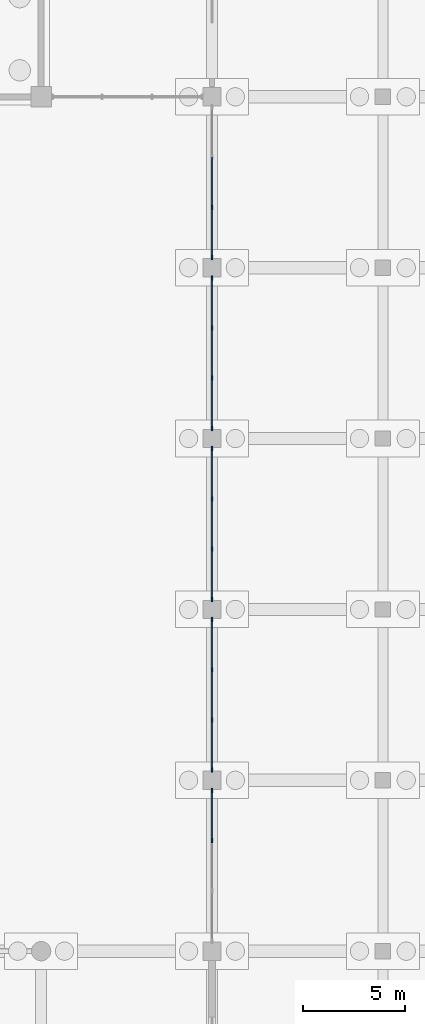
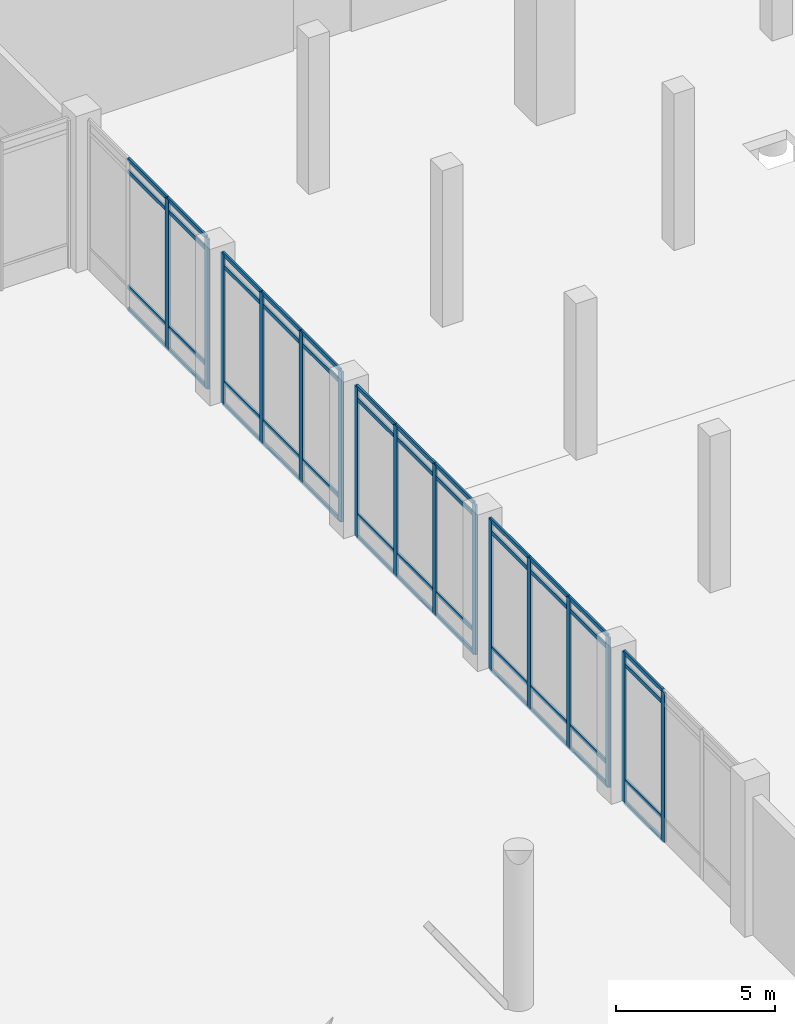
# One storey, part 34 of 72: 64 members, 5 elements without a shape of their own.
"""IFC4 building model written with IfcOpenShell, lengths in metres."""

from ifc_helpers import new_model, si_unit, direction, frame, origin, origin_2d, place, context, subcontext, project, spatial, rectangle, extrude, material, layer, layer_set, material_profile, profile_set, type_object, element, aggregate, save


model = new_model("IFC4")

# Units and contexts
model_context = context("Model", 3, precision=1e-05, world=origin(), true_north=direction((0.0, 1.0)))
body_context = subcontext(model_context, "Body", "Model", "MODEL_VIEW")
ifc_project = project(units=[si_unit("LENGTHUNIT", "METRE"), si_unit("AREAUNIT", "SQUARE_METRE"), si_unit("VOLUMEUNIT", "CUBIC_METRE"), si_unit("PLANEANGLEUNIT", "RADIAN"), si_unit("MASSUNIT", "GRAM", prefix="KILO")], contexts=[model_context])

# Site, building, storey
site_placement = place(None, origin())
site = spatial("IfcSite", under=ifc_project, at=site_placement, CompositionType="ELEMENT")
building_placement = place(site_placement, origin())
building = spatial("IfcBuilding", under=site, at=building_placement, Name="Qawsi Khor Wholesale Market", CompositionType="ELEMENT")
storey_placement = place(building_placement, origin())
storey = spatial("IfcBuildingStorey", under=building, at=storey_placement, Name="L00", CompositionType="ELEMENT", Elevation=0.0)

# Curtain wall, members
ifc_material = material(Name="Aluminium Anodised Bronze", Category="aluminium")
ifc_layer = layer(ifc_material, 0.199951171875, Name="Aluminium Anodised Bronze")
ifc_layer_set = layer_set([ifc_layer], Name="Aluminium Anodised Bronze")
curtain_wall_type = type_object("IfcCurtainWallType", Name="Trading Hall North-Light Curtain Wall CW-03", PredefinedType="NOTDEFINED", material=ifc_layer_set)
curtain_wall_1_placement = place(storey_placement, origin())
curtain_wall_1 = element("IfcCurtainWall", 1, at=curtain_wall_1_placement, inside=storey, type_object=curtain_wall_type, Name="Curtain wall CW-CW-03-L00-075", PredefinedType="NOTDEFINED")
ifc_material_profile_1 = material_profile(ifc_material, rectangle(XDim=0.074951171875, YDim=0.219970703125, at=origin_2d()), Name="ALU MULLION 75x220")
ifc_profile_set_1 = profile_set([ifc_material_profile_1], Name="Aluminium Anodised Bronze")
member_type_1 = type_object("IfcMemberType", Name="Curtain Wall Mullion CW-03 ALU MULLION 75x220", PredefinedType="MULLION", material=ifc_profile_set_1)
member_1_placement = place(storey_placement, frame((142.800048828125, 55.834228515625, -0.02001953125), z_axis=(0.0, 0.0, 1.0), x_axis=(1.0, 0.0, 0.0)))
member_1 = element("IfcMember", 2, at=member_1_placement, type_object=member_type_1, Name="Mullion CW-CW-03-L00-075-M02", PredefinedType="MULLION", context=body_context, shape_type="SweptSolid", body=[
    extrude(rectangle(XDim=0.074951171875, YDim=0.219970703125, at=origin_2d()), origin(), (0.0, 0.0, 1.0), 5.75),
])
member_2_placement = place(storey_placement, frame((142.800048828125, 58.302490234375, -0.02001953125), z_axis=(0.0, 0.0, 1.0), x_axis=(1.0, 0.0, 0.0)))
member_2 = element("IfcMember", 3, at=member_2_placement, type_object=member_type_1, Name="Mullion CW-CW-03-L00-075-M03", PredefinedType="MULLION", context=body_context, shape_type="SweptSolid", body=[
    extrude(rectangle(XDim=0.074951171875, YDim=0.219970703125, at=origin_2d()), origin(), (0.0, 0.0, 1.0), 5.75),
])

curtain_wall_2_placement = place(storey_placement, origin())
curtain_wall_2 = element("IfcCurtainWall", 4, at=curtain_wall_2_placement, inside=storey, type_object=curtain_wall_type, Name="Curtain wall CW-CW-03-L00-080", PredefinedType="NOTDEFINED")
member_3_placement = place(storey_placement, frame((142.800048828125, 59.297607421875, -0.02001953125), z_axis=(0.0, 0.0, 1.0), x_axis=(1.0, 0.0, 0.0)))
member_3 = element("IfcMember", 5, at=member_3_placement, type_object=member_type_1, Name="Mullion CW-CW-03-L00-080-M00", PredefinedType="MULLION", context=body_context, shape_type="SweptSolid", body=[
    extrude(rectangle(XDim=0.074951171875, YDim=0.219970703125, at=origin_2d()), origin(), (0.0, 0.0, 1.0), 5.75),
])
member_4_placement = place(storey_placement, frame((142.800048828125, 61.765869140625, -0.02001953125), z_axis=(0.0, 0.0, 1.0), x_axis=(1.0, 0.0, 0.0)))
member_4 = element("IfcMember", 6, at=member_4_placement, type_object=member_type_1, Name="Mullion CW-CW-03-L00-080-M01", PredefinedType="MULLION", context=body_context, shape_type="SweptSolid", body=[
    extrude(rectangle(XDim=0.074951171875, YDim=0.219970703125, at=origin_2d()), origin(), (0.0, 0.0, 1.0), 5.75),
])
member_5_placement = place(storey_placement, frame((142.800048828125, 64.234130859375, -0.02001953125), z_axis=(0.0, 0.0, 1.0), x_axis=(1.0, 0.0, 0.0)))
member_5 = element("IfcMember", 7, at=member_5_placement, type_object=member_type_1, Name="Mullion CW-CW-03-L00-080-M02", PredefinedType="MULLION", context=body_context, shape_type="SweptSolid", body=[
    extrude(rectangle(XDim=0.074951171875, YDim=0.219970703125, at=origin_2d()), origin(), (0.0, 0.0, 1.0), 5.75),
])
member_6_placement = place(storey_placement, frame((142.800048828125, 66.702392578125, -0.02001953125), z_axis=(0.0, 0.0, 1.0), x_axis=(1.0, 0.0, 0.0)))
member_6 = element("IfcMember", 8, at=member_6_placement, type_object=member_type_1, Name="Mullion CW-CW-03-L00-080-M03", PredefinedType="MULLION", context=body_context, shape_type="SweptSolid", body=[
    extrude(rectangle(XDim=0.074951171875, YDim=0.219970703125, at=origin_2d()), origin(), (0.0, 0.0, 1.0), 5.75),
])

curtain_wall_3_placement = place(storey_placement, origin())
curtain_wall_3 = element("IfcCurtainWall", 9, at=curtain_wall_3_placement, inside=storey, type_object=curtain_wall_type, Name="Curtain wall CW-CW-03-L00-085", PredefinedType="NOTDEFINED")
member_7_placement = place(storey_placement, frame((142.800048828125, 67.697509765625, -0.02001953125), z_axis=(0.0, 0.0, 1.0), x_axis=(1.0, 0.0, 0.0)))
member_7 = element("IfcMember", 10, at=member_7_placement, type_object=member_type_1, Name="Mullion CW-CW-03-L00-085-M00", PredefinedType="MULLION", context=body_context, shape_type="SweptSolid", body=[
    extrude(rectangle(XDim=0.074951171875, YDim=0.219970703125, at=origin_2d()), origin(), (0.0, 0.0, 1.0), 5.75),
])
member_8_placement = place(storey_placement, frame((142.800048828125, 70.165771484375, -0.02001953125), z_axis=(0.0, 0.0, 1.0), x_axis=(1.0, 0.0, 0.0)))
member_8 = element("IfcMember", 11, at=member_8_placement, type_object=member_type_1, Name="Mullion CW-CW-03-L00-085-M01", PredefinedType="MULLION", context=body_context, shape_type="SweptSolid", body=[
    extrude(rectangle(XDim=0.074951171875, YDim=0.219970703125, at=origin_2d()), origin(), (0.0, 0.0, 1.0), 5.75),
])
member_9_placement = place(storey_placement, frame((142.800048828125, 72.63427734375, -0.02001953125), z_axis=(0.0, 0.0, 1.0), x_axis=(1.0, 0.0, 0.0)))
member_9 = element("IfcMember", 12, at=member_9_placement, type_object=member_type_1, Name="Mullion CW-CW-03-L00-085-M02", PredefinedType="MULLION", context=body_context, shape_type="SweptSolid", body=[
    extrude(rectangle(XDim=0.074951171875, YDim=0.219970703125, at=origin_2d()), origin(), (0.0, 0.0, 1.0), 5.75),
])
member_10_placement = place(storey_placement, frame((142.800048828125, 75.1025390625, -0.02001953125), z_axis=(0.0, 0.0, 1.0), x_axis=(1.0, 0.0, 0.0)))
member_10 = element("IfcMember", 13, at=member_10_placement, type_object=member_type_1, Name="Mullion CW-CW-03-L00-085-M03", PredefinedType="MULLION", context=body_context, shape_type="SweptSolid", body=[
    extrude(rectangle(XDim=0.074951171875, YDim=0.219970703125, at=origin_2d()), origin(), (0.0, 0.0, 1.0), 5.75),
])

curtain_wall_4_placement = place(storey_placement, origin())
curtain_wall_4 = element("IfcCurtainWall", 14, at=curtain_wall_4_placement, inside=storey, type_object=curtain_wall_type, Name="Curtain wall CW-CW-03-L00-090", PredefinedType="NOTDEFINED")
member_11_placement = place(storey_placement, frame((142.800048828125, 76.097412109375, -0.02001953125), z_axis=(0.0, 0.0, 1.0), x_axis=(1.0, 0.0, 0.0)))
member_11 = element("IfcMember", 15, at=member_11_placement, type_object=member_type_1, Name="Mullion CW-CW-03-L00-090-M00", PredefinedType="MULLION", context=body_context, shape_type="SweptSolid", body=[
    extrude(rectangle(XDim=0.074951171875, YDim=0.219970703125, at=origin_2d()), origin(), (0.0, 0.0, 1.0), 5.75),
])
member_12_placement = place(storey_placement, frame((142.800048828125, 78.56591796875, -0.02001953125), z_axis=(0.0, 0.0, 1.0), x_axis=(1.0, 0.0, 0.0)))
member_12 = element("IfcMember", 16, at=member_12_placement, type_object=member_type_1, Name="Mullion CW-CW-03-L00-090-M01", PredefinedType="MULLION", context=body_context, shape_type="SweptSolid", body=[
    extrude(rectangle(XDim=0.074951171875, YDim=0.219970703125, at=origin_2d()), origin(), (0.0, 0.0, 1.0), 5.75),
])
member_13_placement = place(storey_placement, frame((142.800048828125, 81.0341796875, -0.02001953125), z_axis=(0.0, 0.0, 1.0), x_axis=(1.0, 0.0, 0.0)))
member_13 = element("IfcMember", 17, at=member_13_placement, type_object=member_type_1, Name="Mullion CW-CW-03-L00-090-M02", PredefinedType="MULLION", context=body_context, shape_type="SweptSolid", body=[
    extrude(rectangle(XDim=0.074951171875, YDim=0.219970703125, at=origin_2d()), origin(), (0.0, 0.0, 1.0), 5.75),
])
member_14_placement = place(storey_placement, frame((142.800048828125, 83.50244140625, -0.02001953125), z_axis=(0.0, 0.0, 1.0), x_axis=(1.0, 0.0, 0.0)))
member_14 = element("IfcMember", 18, at=member_14_placement, type_object=member_type_1, Name="Mullion CW-CW-03-L00-090-M03", PredefinedType="MULLION", context=body_context, shape_type="SweptSolid", body=[
    extrude(rectangle(XDim=0.074951171875, YDim=0.219970703125, at=origin_2d()), origin(), (0.0, 0.0, 1.0), 5.75),
])

curtain_wall_5_placement = place(storey_placement, origin())
curtain_wall_5 = element("IfcCurtainWall", 19, at=curtain_wall_5_placement, inside=storey, type_object=curtain_wall_type, Name="Curtain wall CW-CW-03-L00-095", PredefinedType="NOTDEFINED")
member_15_placement = place(storey_placement, frame((142.800048828125, 84.49755859375, -0.02001953125), z_axis=(0.0, 0.0, 1.0), x_axis=(1.0, 0.0, 0.0)))
member_15 = element("IfcMember", 20, at=member_15_placement, type_object=member_type_1, Name="Mullion CW-CW-03-L00-095-M00", PredefinedType="MULLION", context=body_context, shape_type="SweptSolid", body=[
    extrude(rectangle(XDim=0.074951171875, YDim=0.219970703125, at=origin_2d()), origin(), (0.0, 0.0, 1.0), 5.75),
])
member_16_placement = place(storey_placement, frame((142.800048828125, 86.9658203125, -0.02001953125), z_axis=(0.0, 0.0, 1.0), x_axis=(1.0, 0.0, 0.0)))
member_16 = element("IfcMember", 21, at=member_16_placement, type_object=member_type_1, Name="Mullion CW-CW-03-L00-095-M01", PredefinedType="MULLION", context=body_context, shape_type="SweptSolid", body=[
    extrude(rectangle(XDim=0.074951171875, YDim=0.219970703125, at=origin_2d()), origin(), (0.0, 0.0, 1.0), 5.75),
])

# Member
ifc_material_profile_2 = material_profile(ifc_material, rectangle(XDim=0.070068359375, YDim=0.14990234375, at=origin_2d()), Name="ALU TRANSOM 70x150")
ifc_profile_set_2 = profile_set([ifc_material_profile_2], Name="Aluminium Anodised Bronze")
member_type_2 = type_object("IfcMemberType", Name="Curtain Wall Transom CW-03 ALU TRANSOM 70x150", PredefinedType="USERDEFINED", material=ifc_profile_set_2)
member_17_placement = place(storey_placement, frame((142.800048828125, 55.834228515625, 0.0), z_axis=(0.0, 1.0, 0.0), x_axis=(-1.0, 0.0, 0.0)))
member_17 = element("IfcMember", 22, at=member_17_placement, type_object=member_type_2, Name="Transom CW-CW-03-L00-075-T0_02", ObjectType="TRANSOM", PredefinedType="USERDEFINED", context=body_context, shape_type="SweptSolid", body=[
    extrude(rectangle(XDim=0.070068359375, YDim=0.14990234375, at=origin_2d()), origin(), (0.0, 0.0, 1.0), 2.46826171875),
])

member_18_placement = place(storey_placement, frame((142.800048828125, 55.834228515625, 0.85009765625), z_axis=(0.0, 1.0, 0.0), x_axis=(-1.0, 0.0, 0.0)))
member_18 = element("IfcMember", 23, at=member_18_placement, type_object=member_type_2, Name="Transom CW-CW-03-L00-075-T1_02", ObjectType="TRANSOM", PredefinedType="USERDEFINED", context=body_context, shape_type="SweptSolid", body=[
    extrude(rectangle(XDim=0.070068359375, YDim=0.14990234375, at=origin_2d()), origin(), (0.0, 0.0, 1.0), 2.46826171875),
])

member_19_placement = place(storey_placement, frame((142.800048828125, 55.834228515625, 5.280029296875), z_axis=(0.0, 1.0, 0.0), x_axis=(-1.0, 0.0, 0.0)))
member_19 = element("IfcMember", 24, at=member_19_placement, type_object=member_type_2, Name="Transom CW-CW-03-L00-075-T2_02", ObjectType="TRANSOM", PredefinedType="USERDEFINED", context=body_context, shape_type="SweptSolid", body=[
    extrude(rectangle(XDim=0.070068359375, YDim=0.14990234375, at=origin_2d()), origin(), (0.0, 0.0, 1.0), 2.46826171875),
])

member_20_placement = place(storey_placement, frame((142.800048828125, 55.834228515625, 5.72998046875), z_axis=(0.0, 1.0, 0.0), x_axis=(-1.0, 0.0, 0.0)))
member_20 = element("IfcMember", 25, at=member_20_placement, type_object=member_type_2, Name="Transom CW-CW-03-L00-075-T3_02", ObjectType="TRANSOM", PredefinedType="USERDEFINED", context=body_context, shape_type="SweptSolid", body=[
    extrude(rectangle(XDim=0.070068359375, YDim=0.14990234375, at=origin_2d()), origin(), (0.0, 0.0, 1.0), 2.46826171875),
])

aggregate(curtain_wall_1, [member_1, member_2, member_17, member_18, member_19, member_20])

member_21_placement = place(storey_placement, frame((142.800048828125, 59.297607421875, 0.0), z_axis=(0.0, 1.0, 0.0), x_axis=(-1.0, 0.0, 0.0)))
member_21 = element("IfcMember", 26, at=member_21_placement, type_object=member_type_2, Name="Transom CW-CW-03-L00-080-T0_00", ObjectType="TRANSOM", PredefinedType="USERDEFINED", context=body_context, shape_type="SweptSolid", body=[
    extrude(rectangle(XDim=0.070068359375, YDim=0.14990234375, at=origin_2d()), origin(), (0.0, 0.0, 1.0), 2.46826171875),
])

member_22_placement = place(storey_placement, frame((142.800048828125, 61.765869140625, 0.0), z_axis=(0.0, 1.0, 0.0), x_axis=(-1.0, 0.0, 0.0)))
member_22 = element("IfcMember", 27, at=member_22_placement, type_object=member_type_2, Name="Transom CW-CW-03-L00-080-T0_01", ObjectType="TRANSOM", PredefinedType="USERDEFINED", context=body_context, shape_type="SweptSolid", body=[
    extrude(rectangle(XDim=0.070068359375, YDim=0.14990234375, at=origin_2d()), origin(), (0.0, 0.0, 1.0), 2.46826171875),
])

member_23_placement = place(storey_placement, frame((142.800048828125, 64.234130859375, 0.0), z_axis=(0.0, 1.0, 0.0), x_axis=(-1.0, 0.0, 0.0)))
member_23 = element("IfcMember", 28, at=member_23_placement, type_object=member_type_2, Name="Transom CW-CW-03-L00-080-T0_02", ObjectType="TRANSOM", PredefinedType="USERDEFINED", context=body_context, shape_type="SweptSolid", body=[
    extrude(rectangle(XDim=0.070068359375, YDim=0.14990234375, at=origin_2d()), origin(), (0.0, 0.0, 1.0), 2.46826171875),
])

member_24_placement = place(storey_placement, frame((142.800048828125, 59.297607421875, 0.85009765625), z_axis=(0.0, 1.0, 0.0), x_axis=(-1.0, 0.0, 0.0)))
member_24 = element("IfcMember", 29, at=member_24_placement, type_object=member_type_2, Name="Transom CW-CW-03-L00-080-T1_00", ObjectType="TRANSOM", PredefinedType="USERDEFINED", context=body_context, shape_type="SweptSolid", body=[
    extrude(rectangle(XDim=0.070068359375, YDim=0.14990234375, at=origin_2d()), origin(), (0.0, 0.0, 1.0), 2.46826171875),
])

member_25_placement = place(storey_placement, frame((142.800048828125, 61.765869140625, 0.85009765625), z_axis=(0.0, 1.0, 0.0), x_axis=(-1.0, 0.0, 0.0)))
member_25 = element("IfcMember", 30, at=member_25_placement, type_object=member_type_2, Name="Transom CW-CW-03-L00-080-T1_01", ObjectType="TRANSOM", PredefinedType="USERDEFINED", context=body_context, shape_type="SweptSolid", body=[
    extrude(rectangle(XDim=0.070068359375, YDim=0.14990234375, at=origin_2d()), origin(), (0.0, 0.0, 1.0), 2.46826171875),
])

member_26_placement = place(storey_placement, frame((142.800048828125, 64.234130859375, 0.85009765625), z_axis=(0.0, 1.0, 0.0), x_axis=(-1.0, 0.0, 0.0)))
member_26 = element("IfcMember", 31, at=member_26_placement, type_object=member_type_2, Name="Transom CW-CW-03-L00-080-T1_02", ObjectType="TRANSOM", PredefinedType="USERDEFINED", context=body_context, shape_type="SweptSolid", body=[
    extrude(rectangle(XDim=0.070068359375, YDim=0.14990234375, at=origin_2d()), origin(), (0.0, 0.0, 1.0), 2.46826171875),
])

member_27_placement = place(storey_placement, frame((142.800048828125, 59.297607421875, 5.280029296875), z_axis=(0.0, 1.0, 0.0), x_axis=(-1.0, 0.0, 0.0)))
member_27 = element("IfcMember", 32, at=member_27_placement, type_object=member_type_2, Name="Transom CW-CW-03-L00-080-T2_00", ObjectType="TRANSOM", PredefinedType="USERDEFINED", context=body_context, shape_type="SweptSolid", body=[
    extrude(rectangle(XDim=0.070068359375, YDim=0.14990234375, at=origin_2d()), origin(), (0.0, 0.0, 1.0), 2.46826171875),
])

member_28_placement = place(storey_placement, frame((142.800048828125, 61.765869140625, 5.280029296875), z_axis=(0.0, 1.0, 0.0), x_axis=(-1.0, 0.0, 0.0)))
member_28 = element("IfcMember", 33, at=member_28_placement, type_object=member_type_2, Name="Transom CW-CW-03-L00-080-T2_01", ObjectType="TRANSOM", PredefinedType="USERDEFINED", context=body_context, shape_type="SweptSolid", body=[
    extrude(rectangle(XDim=0.070068359375, YDim=0.14990234375, at=origin_2d()), origin(), (0.0, 0.0, 1.0), 2.46826171875),
])

member_29_placement = place(storey_placement, frame((142.800048828125, 64.234130859375, 5.280029296875), z_axis=(0.0, 1.0, 0.0), x_axis=(-1.0, 0.0, 0.0)))
member_29 = element("IfcMember", 34, at=member_29_placement, type_object=member_type_2, Name="Transom CW-CW-03-L00-080-T2_02", ObjectType="TRANSOM", PredefinedType="USERDEFINED", context=body_context, shape_type="SweptSolid", body=[
    extrude(rectangle(XDim=0.070068359375, YDim=0.14990234375, at=origin_2d()), origin(), (0.0, 0.0, 1.0), 2.46826171875),
])

member_30_placement = place(storey_placement, frame((142.800048828125, 59.297607421875, 5.72998046875), z_axis=(0.0, 1.0, 0.0), x_axis=(-1.0, 0.0, 0.0)))
member_30 = element("IfcMember", 35, at=member_30_placement, type_object=member_type_2, Name="Transom CW-CW-03-L00-080-T3_00", ObjectType="TRANSOM", PredefinedType="USERDEFINED", context=body_context, shape_type="SweptSolid", body=[
    extrude(rectangle(XDim=0.070068359375, YDim=0.14990234375, at=origin_2d()), origin(), (0.0, 0.0, 1.0), 2.46826171875),
])

member_31_placement = place(storey_placement, frame((142.800048828125, 61.765869140625, 5.72998046875), z_axis=(0.0, 1.0, 0.0), x_axis=(-1.0, 0.0, 0.0)))
member_31 = element("IfcMember", 36, at=member_31_placement, type_object=member_type_2, Name="Transom CW-CW-03-L00-080-T3_01", ObjectType="TRANSOM", PredefinedType="USERDEFINED", context=body_context, shape_type="SweptSolid", body=[
    extrude(rectangle(XDim=0.070068359375, YDim=0.14990234375, at=origin_2d()), origin(), (0.0, 0.0, 1.0), 2.46826171875),
])

member_32_placement = place(storey_placement, frame((142.800048828125, 64.234130859375, 5.72998046875), z_axis=(0.0, 1.0, 0.0), x_axis=(-1.0, 0.0, 0.0)))
member_32 = element("IfcMember", 37, at=member_32_placement, type_object=member_type_2, Name="Transom CW-CW-03-L00-080-T3_02", ObjectType="TRANSOM", PredefinedType="USERDEFINED", context=body_context, shape_type="SweptSolid", body=[
    extrude(rectangle(XDim=0.070068359375, YDim=0.14990234375, at=origin_2d()), origin(), (0.0, 0.0, 1.0), 2.46826171875),
])

aggregate(curtain_wall_2, [member_3, member_4, member_5, member_6, member_21, member_22, member_23, member_24, member_25, member_26, member_27, member_28, member_29, member_30, member_31, member_32])

member_33_placement = place(storey_placement, frame((142.800048828125, 67.697509765625, 0.0), z_axis=(0.0, 1.0, 0.0), x_axis=(-1.0, 0.0, 0.0)))
member_33 = element("IfcMember", 38, at=member_33_placement, type_object=member_type_2, Name="Transom CW-CW-03-L00-085-T0_00", ObjectType="TRANSOM", PredefinedType="USERDEFINED", context=body_context, shape_type="SweptSolid", body=[
    extrude(rectangle(XDim=0.070068359375, YDim=0.14990234375, at=origin_2d()), origin(), (0.0, 0.0, 1.0), 2.46826171875),
])

member_34_placement = place(storey_placement, frame((142.800048828125, 70.165771484375, 0.0), z_axis=(0.0, 1.0, 0.0), x_axis=(-1.0, 0.0, 0.0)))
member_34 = element("IfcMember", 39, at=member_34_placement, type_object=member_type_2, Name="Transom CW-CW-03-L00-085-T0_01", ObjectType="TRANSOM", PredefinedType="USERDEFINED", context=body_context, shape_type="SweptSolid", body=[
    extrude(rectangle(XDim=0.070068359375, YDim=0.14990234375, at=origin_2d()), origin(), (0.0, 0.0, 1.0), 2.468505859375),
])

member_35_placement = place(storey_placement, frame((142.800048828125, 72.63427734375, 0.0), z_axis=(0.0, 1.0, 0.0), x_axis=(-1.0, 0.0, 0.0)))
member_35 = element("IfcMember", 40, at=member_35_placement, type_object=member_type_2, Name="Transom CW-CW-03-L00-085-T0_02", ObjectType="TRANSOM", PredefinedType="USERDEFINED", context=body_context, shape_type="SweptSolid", body=[
    extrude(rectangle(XDim=0.070068359375, YDim=0.14990234375, at=origin_2d()), origin(), (0.0, 0.0, 1.0), 2.46826171875),
])

member_36_placement = place(storey_placement, frame((142.800048828125, 67.697509765625, 0.85009765625), z_axis=(0.0, 1.0, 0.0), x_axis=(-1.0, 0.0, 0.0)))
member_36 = element("IfcMember", 41, at=member_36_placement, type_object=member_type_2, Name="Transom CW-CW-03-L00-085-T1_00", ObjectType="TRANSOM", PredefinedType="USERDEFINED", context=body_context, shape_type="SweptSolid", body=[
    extrude(rectangle(XDim=0.070068359375, YDim=0.14990234375, at=origin_2d()), origin(), (0.0, 0.0, 1.0), 2.46826171875),
])

member_37_placement = place(storey_placement, frame((142.800048828125, 70.165771484375, 0.85009765625), z_axis=(0.0, 1.0, 0.0), x_axis=(-1.0, 0.0, 0.0)))
member_37 = element("IfcMember", 42, at=member_37_placement, type_object=member_type_2, Name="Transom CW-CW-03-L00-085-T1_01", ObjectType="TRANSOM", PredefinedType="USERDEFINED", context=body_context, shape_type="SweptSolid", body=[
    extrude(rectangle(XDim=0.070068359375, YDim=0.14990234375, at=origin_2d()), origin(), (0.0, 0.0, 1.0), 2.468505859375),
])

member_38_placement = place(storey_placement, frame((142.800048828125, 72.63427734375, 0.85009765625), z_axis=(0.0, 1.0, 0.0), x_axis=(-1.0, 0.0, 0.0)))
member_38 = element("IfcMember", 43, at=member_38_placement, type_object=member_type_2, Name="Transom CW-CW-03-L00-085-T1_02", ObjectType="TRANSOM", PredefinedType="USERDEFINED", context=body_context, shape_type="SweptSolid", body=[
    extrude(rectangle(XDim=0.070068359375, YDim=0.14990234375, at=origin_2d()), origin(), (0.0, 0.0, 1.0), 2.46826171875),
])

member_39_placement = place(storey_placement, frame((142.800048828125, 67.697509765625, 5.280029296875), z_axis=(0.0, 1.0, 0.0), x_axis=(-1.0, 0.0, 0.0)))
member_39 = element("IfcMember", 44, at=member_39_placement, type_object=member_type_2, Name="Transom CW-CW-03-L00-085-T2_00", ObjectType="TRANSOM", PredefinedType="USERDEFINED", context=body_context, shape_type="SweptSolid", body=[
    extrude(rectangle(XDim=0.070068359375, YDim=0.14990234375, at=origin_2d()), origin(), (0.0, 0.0, 1.0), 2.46826171875),
])

member_40_placement = place(storey_placement, frame((142.800048828125, 70.165771484375, 5.280029296875), z_axis=(0.0, 1.0, 0.0), x_axis=(-1.0, 0.0, 0.0)))
member_40 = element("IfcMember", 45, at=member_40_placement, type_object=member_type_2, Name="Transom CW-CW-03-L00-085-T2_01", ObjectType="TRANSOM", PredefinedType="USERDEFINED", context=body_context, shape_type="SweptSolid", body=[
    extrude(rectangle(XDim=0.070068359375, YDim=0.14990234375, at=origin_2d()), origin(), (0.0, 0.0, 1.0), 2.468505859375),
])

member_41_placement = place(storey_placement, frame((142.800048828125, 72.63427734375, 5.280029296875), z_axis=(0.0, 1.0, 0.0), x_axis=(-1.0, 0.0, 0.0)))
member_41 = element("IfcMember", 46, at=member_41_placement, type_object=member_type_2, Name="Transom CW-CW-03-L00-085-T2_02", ObjectType="TRANSOM", PredefinedType="USERDEFINED", context=body_context, shape_type="SweptSolid", body=[
    extrude(rectangle(XDim=0.070068359375, YDim=0.14990234375, at=origin_2d()), origin(), (0.0, 0.0, 1.0), 2.46826171875),
])

member_42_placement = place(storey_placement, frame((142.800048828125, 67.697509765625, 5.72998046875), z_axis=(0.0, 1.0, 0.0), x_axis=(-1.0, 0.0, 0.0)))
member_42 = element("IfcMember", 47, at=member_42_placement, type_object=member_type_2, Name="Transom CW-CW-03-L00-085-T3_00", ObjectType="TRANSOM", PredefinedType="USERDEFINED", context=body_context, shape_type="SweptSolid", body=[
    extrude(rectangle(XDim=0.070068359375, YDim=0.14990234375, at=origin_2d()), origin(), (0.0, 0.0, 1.0), 2.46826171875),
])

member_43_placement = place(storey_placement, frame((142.800048828125, 70.165771484375, 5.72998046875), z_axis=(0.0, 1.0, 0.0), x_axis=(-1.0, 0.0, 0.0)))
member_43 = element("IfcMember", 48, at=member_43_placement, type_object=member_type_2, Name="Transom CW-CW-03-L00-085-T3_01", ObjectType="TRANSOM", PredefinedType="USERDEFINED", context=body_context, shape_type="SweptSolid", body=[
    extrude(rectangle(XDim=0.070068359375, YDim=0.14990234375, at=origin_2d()), origin(), (0.0, 0.0, 1.0), 2.468505859375),
])

member_44_placement = place(storey_placement, frame((142.800048828125, 72.63427734375, 5.72998046875), z_axis=(0.0, 1.0, 0.0), x_axis=(-1.0, 0.0, 0.0)))
member_44 = element("IfcMember", 49, at=member_44_placement, type_object=member_type_2, Name="Transom CW-CW-03-L00-085-T3_02", ObjectType="TRANSOM", PredefinedType="USERDEFINED", context=body_context, shape_type="SweptSolid", body=[
    extrude(rectangle(XDim=0.070068359375, YDim=0.14990234375, at=origin_2d()), origin(), (0.0, 0.0, 1.0), 2.46826171875),
])

aggregate(curtain_wall_3, [member_7, member_8, member_9, member_10, member_33, member_34, member_35, member_36, member_37, member_38, member_39, member_40, member_41, member_42, member_43, member_44])

member_45_placement = place(storey_placement, frame((142.800048828125, 76.097412109375, 0.0), z_axis=(0.0, 1.0, 0.0), x_axis=(-1.0, 0.0, 0.0)))
member_45 = element("IfcMember", 50, at=member_45_placement, type_object=member_type_2, Name="Transom CW-CW-03-L00-090-T0_00", ObjectType="TRANSOM", PredefinedType="USERDEFINED", context=body_context, shape_type="SweptSolid", body=[
    extrude(rectangle(XDim=0.070068359375, YDim=0.14990234375, at=origin_2d()), origin(), (0.0, 0.0, 1.0), 2.468505859375),
])

member_46_placement = place(storey_placement, frame((142.800048828125, 78.56591796875, 0.0), z_axis=(0.0, 1.0, 0.0), x_axis=(-1.0, 0.0, 0.0)))
member_46 = element("IfcMember", 51, at=member_46_placement, type_object=member_type_2, Name="Transom CW-CW-03-L00-090-T0_01", ObjectType="TRANSOM", PredefinedType="USERDEFINED", context=body_context, shape_type="SweptSolid", body=[
    extrude(rectangle(XDim=0.070068359375, YDim=0.14990234375, at=origin_2d()), origin(), (0.0, 0.0, 1.0), 2.46826171875),
])

member_47_placement = place(storey_placement, frame((142.800048828125, 81.0341796875, 0.0), z_axis=(0.0, 1.0, 0.0), x_axis=(-1.0, 0.0, 0.0)))
member_47 = element("IfcMember", 52, at=member_47_placement, type_object=member_type_2, Name="Transom CW-CW-03-L00-090-T0_02", ObjectType="TRANSOM", PredefinedType="USERDEFINED", context=body_context, shape_type="SweptSolid", body=[
    extrude(rectangle(XDim=0.070068359375, YDim=0.14990234375, at=origin_2d()), origin(), (0.0, 0.0, 1.0), 2.46826171875),
])

member_48_placement = place(storey_placement, frame((142.800048828125, 76.097412109375, 0.85009765625), z_axis=(0.0, 1.0, 0.0), x_axis=(-1.0, 0.0, 0.0)))
member_48 = element("IfcMember", 53, at=member_48_placement, type_object=member_type_2, Name="Transom CW-CW-03-L00-090-T1_00", ObjectType="TRANSOM", PredefinedType="USERDEFINED", context=body_context, shape_type="SweptSolid", body=[
    extrude(rectangle(XDim=0.070068359375, YDim=0.14990234375, at=origin_2d()), origin(), (0.0, 0.0, 1.0), 2.468505859375),
])

member_49_placement = place(storey_placement, frame((142.800048828125, 78.56591796875, 0.85009765625), z_axis=(0.0, 1.0, 0.0), x_axis=(-1.0, 0.0, 0.0)))
member_49 = element("IfcMember", 54, at=member_49_placement, type_object=member_type_2, Name="Transom CW-CW-03-L00-090-T1_01", ObjectType="TRANSOM", PredefinedType="USERDEFINED", context=body_context, shape_type="SweptSolid", body=[
    extrude(rectangle(XDim=0.070068359375, YDim=0.14990234375, at=origin_2d()), origin(), (0.0, 0.0, 1.0), 2.46826171875),
])

member_50_placement = place(storey_placement, frame((142.800048828125, 81.0341796875, 0.85009765625), z_axis=(0.0, 1.0, 0.0), x_axis=(-1.0, 0.0, 0.0)))
member_50 = element("IfcMember", 55, at=member_50_placement, type_object=member_type_2, Name="Transom CW-CW-03-L00-090-T1_02", ObjectType="TRANSOM", PredefinedType="USERDEFINED", context=body_context, shape_type="SweptSolid", body=[
    extrude(rectangle(XDim=0.070068359375, YDim=0.14990234375, at=origin_2d()), origin(), (0.0, 0.0, 1.0), 2.46826171875),
])

member_51_placement = place(storey_placement, frame((142.800048828125, 76.097412109375, 5.280029296875), z_axis=(0.0, 1.0, 0.0), x_axis=(-1.0, 0.0, 0.0)))
member_51 = element("IfcMember", 56, at=member_51_placement, type_object=member_type_2, Name="Transom CW-CW-03-L00-090-T2_00", ObjectType="TRANSOM", PredefinedType="USERDEFINED", context=body_context, shape_type="SweptSolid", body=[
    extrude(rectangle(XDim=0.070068359375, YDim=0.14990234375, at=origin_2d()), origin(), (0.0, 0.0, 1.0), 2.468505859375),
])

member_52_placement = place(storey_placement, frame((142.800048828125, 78.56591796875, 5.280029296875), z_axis=(0.0, 1.0, 0.0), x_axis=(-1.0, 0.0, 0.0)))
member_52 = element("IfcMember", 57, at=member_52_placement, type_object=member_type_2, Name="Transom CW-CW-03-L00-090-T2_01", ObjectType="TRANSOM", PredefinedType="USERDEFINED", context=body_context, shape_type="SweptSolid", body=[
    extrude(rectangle(XDim=0.070068359375, YDim=0.14990234375, at=origin_2d()), origin(), (0.0, 0.0, 1.0), 2.46826171875),
])

member_53_placement = place(storey_placement, frame((142.800048828125, 81.0341796875, 5.280029296875), z_axis=(0.0, 1.0, 0.0), x_axis=(-1.0, 0.0, 0.0)))
member_53 = element("IfcMember", 58, at=member_53_placement, type_object=member_type_2, Name="Transom CW-CW-03-L00-090-T2_02", ObjectType="TRANSOM", PredefinedType="USERDEFINED", context=body_context, shape_type="SweptSolid", body=[
    extrude(rectangle(XDim=0.070068359375, YDim=0.14990234375, at=origin_2d()), origin(), (0.0, 0.0, 1.0), 2.46826171875),
])

member_54_placement = place(storey_placement, frame((142.800048828125, 76.097412109375, 5.72998046875), z_axis=(0.0, 1.0, 0.0), x_axis=(-1.0, 0.0, 0.0)))
member_54 = element("IfcMember", 59, at=member_54_placement, type_object=member_type_2, Name="Transom CW-CW-03-L00-090-T3_00", ObjectType="TRANSOM", PredefinedType="USERDEFINED", context=body_context, shape_type="SweptSolid", body=[
    extrude(rectangle(XDim=0.070068359375, YDim=0.14990234375, at=origin_2d()), origin(), (0.0, 0.0, 1.0), 2.468505859375),
])

member_55_placement = place(storey_placement, frame((142.800048828125, 78.56591796875, 5.72998046875), z_axis=(0.0, 1.0, 0.0), x_axis=(-1.0, 0.0, 0.0)))
member_55 = element("IfcMember", 60, at=member_55_placement, type_object=member_type_2, Name="Transom CW-CW-03-L00-090-T3_01", ObjectType="TRANSOM", PredefinedType="USERDEFINED", context=body_context, shape_type="SweptSolid", body=[
    extrude(rectangle(XDim=0.070068359375, YDim=0.14990234375, at=origin_2d()), origin(), (0.0, 0.0, 1.0), 2.46826171875),
])

member_56_placement = place(storey_placement, frame((142.800048828125, 81.0341796875, 5.72998046875), z_axis=(0.0, 1.0, 0.0), x_axis=(-1.0, 0.0, 0.0)))
member_56 = element("IfcMember", 61, at=member_56_placement, type_object=member_type_2, Name="Transom CW-CW-03-L00-090-T3_02", ObjectType="TRANSOM", PredefinedType="USERDEFINED", context=body_context, shape_type="SweptSolid", body=[
    extrude(rectangle(XDim=0.070068359375, YDim=0.14990234375, at=origin_2d()), origin(), (0.0, 0.0, 1.0), 2.46826171875),
])

aggregate(curtain_wall_4, [member_11, member_12, member_13, member_14, member_45, member_46, member_47, member_48, member_49, member_50, member_51, member_52, member_53, member_54, member_55, member_56])

member_57_placement = place(storey_placement, frame((142.800048828125, 84.49755859375, 0.0), z_axis=(0.0, 1.0, 0.0), x_axis=(-1.0, 0.0, 0.0)))
member_57 = element("IfcMember", 62, at=member_57_placement, type_object=member_type_2, Name="Transom CW-CW-03-L00-095-T0_00", ObjectType="TRANSOM", PredefinedType="USERDEFINED", context=body_context, shape_type="SweptSolid", body=[
    extrude(rectangle(XDim=0.070068359375, YDim=0.14990234375, at=origin_2d()), origin(), (0.0, 0.0, 1.0), 2.46826171875),
])

member_58_placement = place(storey_placement, frame((142.800048828125, 86.9658203125, 0.0), z_axis=(0.0, 1.0, 0.0), x_axis=(-1.0, 0.0, 0.0)))
member_58 = element("IfcMember", 63, at=member_58_placement, type_object=member_type_2, Name="Transom CW-CW-03-L00-095-T0_01", ObjectType="TRANSOM", PredefinedType="USERDEFINED", context=body_context, shape_type="SweptSolid", body=[
    extrude(rectangle(XDim=0.070068359375, YDim=0.14990234375, at=origin_2d()), origin(), (0.0, 0.0, 1.0), 2.46826171875),
])

member_59_placement = place(storey_placement, frame((142.800048828125, 84.49755859375, 0.85009765625), z_axis=(0.0, 1.0, 0.0), x_axis=(-1.0, 0.0, 0.0)))
member_59 = element("IfcMember", 64, at=member_59_placement, type_object=member_type_2, Name="Transom CW-CW-03-L00-095-T1_00", ObjectType="TRANSOM", PredefinedType="USERDEFINED", context=body_context, shape_type="SweptSolid", body=[
    extrude(rectangle(XDim=0.070068359375, YDim=0.14990234375, at=origin_2d()), origin(), (0.0, 0.0, 1.0), 2.46826171875),
])

member_60_placement = place(storey_placement, frame((142.800048828125, 86.9658203125, 0.85009765625), z_axis=(0.0, 1.0, 0.0), x_axis=(-1.0, 0.0, 0.0)))
member_60 = element("IfcMember", 65, at=member_60_placement, type_object=member_type_2, Name="Transom CW-CW-03-L00-095-T1_01", ObjectType="TRANSOM", PredefinedType="USERDEFINED", context=body_context, shape_type="SweptSolid", body=[
    extrude(rectangle(XDim=0.070068359375, YDim=0.14990234375, at=origin_2d()), origin(), (0.0, 0.0, 1.0), 2.46826171875),
])

member_61_placement = place(storey_placement, frame((142.800048828125, 84.49755859375, 5.280029296875), z_axis=(0.0, 1.0, 0.0), x_axis=(-1.0, 0.0, 0.0)))
member_61 = element("IfcMember", 66, at=member_61_placement, type_object=member_type_2, Name="Transom CW-CW-03-L00-095-T2_00", ObjectType="TRANSOM", PredefinedType="USERDEFINED", context=body_context, shape_type="SweptSolid", body=[
    extrude(rectangle(XDim=0.070068359375, YDim=0.14990234375, at=origin_2d()), origin(), (0.0, 0.0, 1.0), 2.46826171875),
])

member_62_placement = place(storey_placement, frame((142.800048828125, 86.9658203125, 5.280029296875), z_axis=(0.0, 1.0, 0.0), x_axis=(-1.0, 0.0, 0.0)))
member_62 = element("IfcMember", 67, at=member_62_placement, type_object=member_type_2, Name="Transom CW-CW-03-L00-095-T2_01", ObjectType="TRANSOM", PredefinedType="USERDEFINED", context=body_context, shape_type="SweptSolid", body=[
    extrude(rectangle(XDim=0.070068359375, YDim=0.14990234375, at=origin_2d()), origin(), (0.0, 0.0, 1.0), 2.46826171875),
])

member_63_placement = place(storey_placement, frame((142.800048828125, 84.49755859375, 5.72998046875), z_axis=(0.0, 1.0, 0.0), x_axis=(-1.0, 0.0, 0.0)))
member_63 = element("IfcMember", 68, at=member_63_placement, type_object=member_type_2, Name="Transom CW-CW-03-L00-095-T3_00", ObjectType="TRANSOM", PredefinedType="USERDEFINED", context=body_context, shape_type="SweptSolid", body=[
    extrude(rectangle(XDim=0.070068359375, YDim=0.14990234375, at=origin_2d()), origin(), (0.0, 0.0, 1.0), 2.46826171875),
])

member_64_placement = place(storey_placement, frame((142.800048828125, 86.9658203125, 5.72998046875), z_axis=(0.0, 1.0, 0.0), x_axis=(-1.0, 0.0, 0.0)))
member_64 = element("IfcMember", 69, at=member_64_placement, type_object=member_type_2, Name="Transom CW-CW-03-L00-095-T3_01", ObjectType="TRANSOM", PredefinedType="USERDEFINED", context=body_context, shape_type="SweptSolid", body=[
    extrude(rectangle(XDim=0.070068359375, YDim=0.14990234375, at=origin_2d()), origin(), (0.0, 0.0, 1.0), 2.46826171875),
])

aggregate(curtain_wall_5, [member_15, member_16, member_57, member_58, member_59, member_60, member_61, member_62, member_63, member_64])

save(model, "model.ifc")
